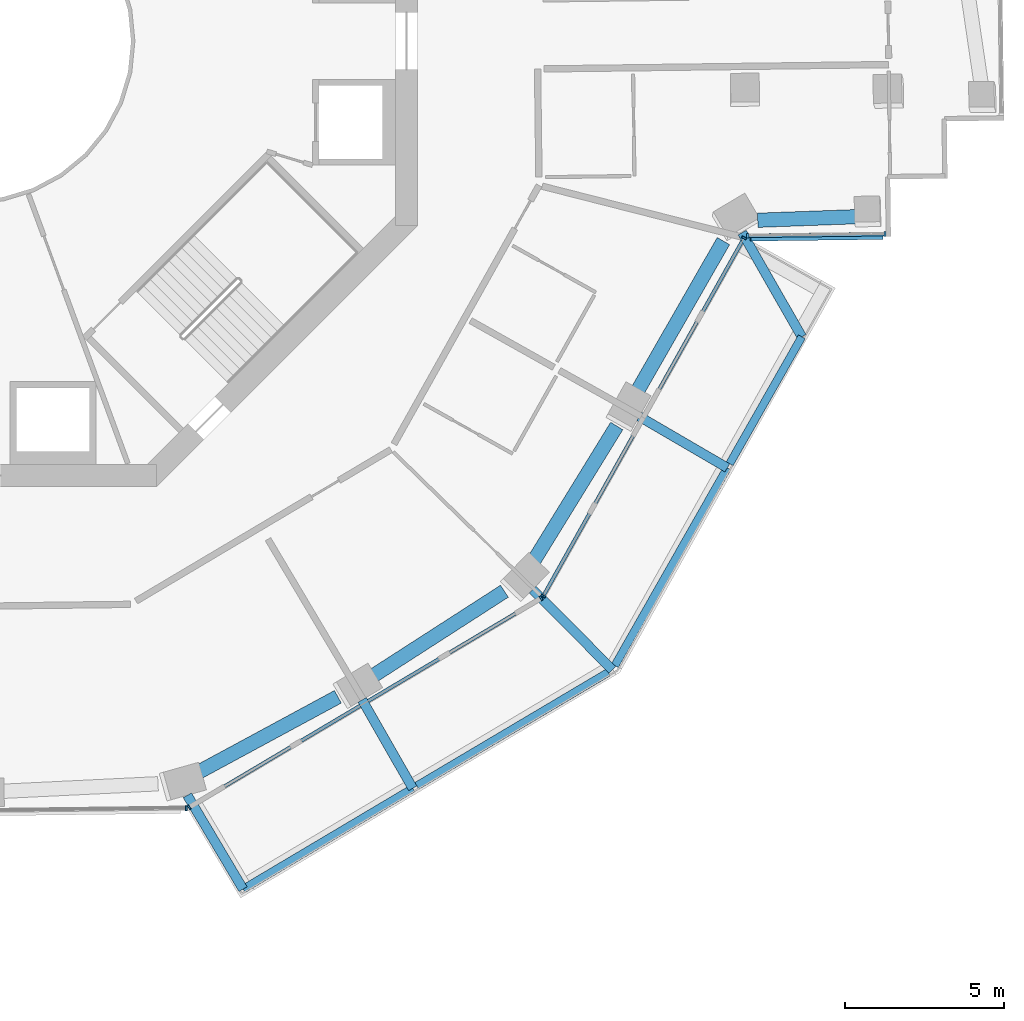
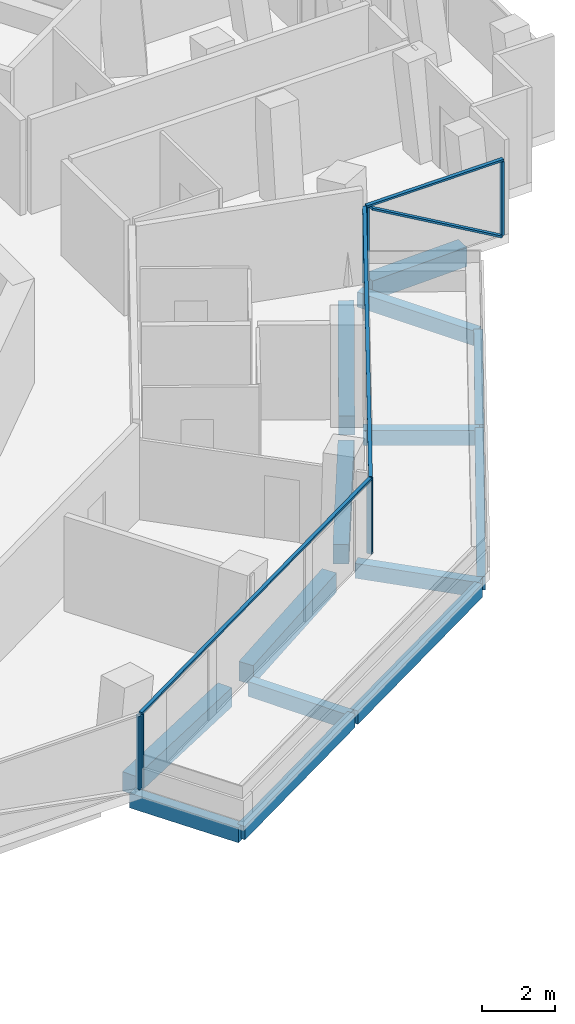
# One storey, part 5 of 21: 14 beams, 11 members, 4 elements without a shape of their own.
"""IFC4 building model written with IfcOpenShell, lengths in metres."""

from ifc_helpers import new_model, si_unit, direction, frame, origin, origin_2d, place, context, subcontext, project, spatial, rectangle, extrude, material, layer, layer_set, material_profile, profile_set, type_object, element, aggregate, save


model = new_model("IFC4")

# Units and contexts
model_context = context("Model", 3, precision=1e-05, world=origin(), true_north=direction((0.0, 1.0)))
body_context = subcontext(model_context, "Body", "Model", "MODEL_VIEW")
ifc_project = project(units=[si_unit("LENGTHUNIT", "METRE"), si_unit("AREAUNIT", "SQUARE_METRE"), si_unit("VOLUMEUNIT", "CUBIC_METRE"), si_unit("PLANEANGLEUNIT", "RADIAN"), si_unit("MASSUNIT", "GRAM", prefix="KILO")], contexts=[model_context])

# Site, building, storey
site_placement = place(None, origin())
site = spatial("IfcSite", under=ifc_project, at=site_placement, CompositionType="ELEMENT")
building_placement = place(site_placement, origin())
building = spatial("IfcBuilding", under=site, at=building_placement, Name="Verdalira Terraces Hotel", CompositionType="ELEMENT")
storey_placement = place(building_placement, frame((0.0, 0.0, 158.5)))
storey = spatial("IfcBuildingStorey", under=building, at=storey_placement, Name="L38", CompositionType="ELEMENT", Elevation=158.5)

# Beams
ifc_material_1 = material(Name="Concrete C40", Category="concrete")
ifc_material_profile_1 = material_profile(ifc_material_1, rectangle(XDim=0.300049, YDim=0.5, at=origin_2d()), Name="RC 300X500")
ifc_profile_set_1 = profile_set([ifc_material_profile_1], Name="Concrete C40")
beam_type_1 = type_object("IfcBeamType", Name="Balcony cantilever beam RC 300X500 C40", PredefinedType="BEAM", material=ifc_profile_set_1)
beam_1_placement = place(storey_placement, frame((6.766846, -23.69751, -0.560059), z_axis=(0.510847941, -0.859671089, 0.0), x_axis=(0.859671089, 0.510847941, 0.0)))
element("IfcBeam", 1, at=beam_1_placement, inside=storey, type_object=beam_type_1, Name="Balcony cantilever beam R26-1", PredefinedType="BEAM", context=body_context, shape_type="SweptSolid", body=[
    extrude(rectangle(XDim=0.300049, YDim=0.5, at=origin_2d()), origin(), (0.0, 0.0, 1.0), 3.429443),
])
beam_2_placement = place(storey_placement, frame((12.26001, -20.699707, -0.560059), z_axis=(0.496311424, -0.868144556, 0.0), x_axis=(0.868144556, 0.496311424, 0.0)))
element("IfcBeam", 2, at=beam_2_placement, inside=storey, type_object=beam_type_1, Name="Balcony cantilever beam R26-2", PredefinedType="BEAM", context=body_context, shape_type="SweptSolid", body=[
    extrude(rectangle(XDim=0.300049, YDim=0.5, at=origin_2d()), origin(), (0.0, 0.0, 1.0), 3.200928),
])
beam_3_placement = place(storey_placement, frame((17.617676, -17.229736, -0.560059), z_axis=(0.704116359, -0.71008461, 0.0), x_axis=(0.71008461, 0.704116359, 0.0)))
element("IfcBeam", 3, at=beam_3_placement, inside=storey, type_object=beam_type_1, Name="Balcony cantilever beam R26-3", PredefinedType="BEAM", context=body_context, shape_type="SweptSolid", body=[
    extrude(rectangle(XDim=0.300049, YDim=0.5, at=origin_2d()), origin(), (0.0, 0.0, 1.0), 3.558838),
])
beam_4_placement = place(storey_placement, frame((20.967285, -11.796631, -0.560059), z_axis=(0.863925479, -0.503619664, 0.0), x_axis=(0.503619664, 0.863925479, 0.0)))
element("IfcBeam", 4, at=beam_4_placement, inside=storey, type_object=beam_type_1, Name="Balcony cantilever beam R26-4", PredefinedType="BEAM", context=body_context, shape_type="SweptSolid", body=[
    extrude(rectangle(XDim=0.300049, YDim=0.5, at=origin_2d()), origin(), (0.0, 0.0, 1.0), 3.200928),
])
beam_5_placement = place(storey_placement, frame((24.200684, -6.017334, -0.560059), z_axis=(0.496375882, -0.868107703, 0.0), x_axis=(0.868107703, 0.496375882, 0.0)))
element("IfcBeam", 5, at=beam_5_placement, inside=storey, type_object=beam_type_1, Name="Balcony cantilever beam R26-5", PredefinedType="BEAM", context=body_context, shape_type="SweptSolid", body=[
    extrude(rectangle(XDim=0.300049, YDim=0.5, at=origin_2d()), origin(), (0.0, 0.0, 1.0), 3.772461),
])
ifc_material_2 = material(Name="Concrete C40", Category="concrete")
ifc_material_profile_2 = material_profile(ifc_material_2, rectangle(XDim=0.25, YDim=0.449951, at=origin_2d()), Name="RC 250X450")
ifc_profile_set_2 = profile_set([ifc_material_profile_2], Name="Concrete C40")
beam_type_2 = type_object("IfcBeamType", Name="Balcony edge beam RC 250X450 C40", PredefinedType="BEAM", material=ifc_profile_set_2)
beam_6_placement = place(storey_placement, frame((8.518799, -26.645752, -0.534912), z_axis=(0.859667234, 0.510854428, 0.0), x_axis=(-0.510854428, 0.859667234, 0.0)))
element("IfcBeam", 6, at=beam_6_placement, inside=storey, type_object=beam_type_2, Name="Balcony edge beam R26-1", PredefinedType="BEAM", context=body_context, shape_type="SweptSolid", body=[
    extrude(rectangle(XDim=0.25, YDim=0.449951, at=origin_2d()), origin(), (0.0, 0.0, 1.0), 6.199951),
])
beam_7_placement = place(storey_placement, frame((13.977783, -23.401855, -0.534912), z_axis=(0.860098027, 0.510128792, 0.0), x_axis=(-0.510128792, 0.860098027, 0.0)))
element("IfcBeam", 7, at=beam_7_placement, inside=storey, type_object=beam_type_2, Name="Balcony edge beam R26-2", PredefinedType="BEAM", context=body_context, shape_type="SweptSolid", body=[
    extrude(rectangle(XDim=0.25, YDim=0.449951, at=origin_2d()), origin(), (0.0, 0.0, 1.0), 6.990723),
])
beam_8_placement = place(storey_placement, frame((20.200439, -19.621338, -0.534912), z_axis=(0.494254137, 0.869317461, 0.0), x_axis=(-0.869317461, 0.494254137, 0.0)))
element("IfcBeam", 8, at=beam_8_placement, inside=storey, type_object=beam_type_2, Name="Balcony edge beam R26-3", PredefinedType="BEAM", context=body_context, shape_type="SweptSolid", body=[
    extrude(rectangle(XDim=0.25, YDim=0.449951, at=origin_2d()), origin(), (0.0, 0.0, 1.0), 7.146484),
])
beam_9_placement = place(storey_placement, frame((23.806641, -13.27832, -0.534912), z_axis=(0.494303013, 0.86928967, 0.0), x_axis=(-0.86928967, 0.494303013, 0.0)))
element("IfcBeam", 9, at=beam_9_placement, inside=storey, type_object=beam_type_2, Name="Balcony edge beam R26-4", PredefinedType="BEAM", context=body_context, shape_type="SweptSolid", body=[
    extrude(rectangle(XDim=0.25, YDim=0.449951, at=origin_2d()), origin(), (0.0, 0.0, 1.0), 4.585449),
])

# Curtain wall, member
ifc_material_3 = material(Name="Clear glass", Category="glass")
ifc_layer_1 = layer(ifc_material_3, 0.14990234375)
ifc_layer_set_1 = layer_set([ifc_layer_1], Name="CW1 curtain wall")
curtain_wall_type_1 = type_object("IfcCurtainWallType", Name="CW1 curtain wall", PredefinedType="NOTDEFINED", material=ifc_layer_set_1)
curtain_wall_1_placement = place(storey_placement, origin())
curtain_wall_1 = element("IfcCurtainWall", 10, at=curtain_wall_1_placement, inside=storey, type_object=curtain_wall_type_1, Name="CW1 curtain wall L38 edge 25", PredefinedType="NOTDEFINED")
ifc_material_4 = material(Name="Terracotta frame", Category="masonry")
ifc_material_profile_3 = material_profile(ifc_material_4, rectangle(XDim=0.060059, YDim=0.149902, at=origin_2d()), Name="MU 60x150")
ifc_profile_set_3 = profile_set([ifc_material_profile_3], Name="Terracotta frame")
member_type_1 = type_object("IfcMemberType", Name="CW1 mullion 60x150", PredefinedType="MULLION", material=ifc_profile_set_3)
member_1_placement = place(storey_placement, frame((6.733154, -24.100586, 0.0), z_axis=(0.0, 0.0, 1.0), x_axis=(0.999921044, 0.01256604, 0.0)))
member_1 = element("IfcMember", 11, at=member_1_placement, type_object=member_type_1, Name="CW1 mullion", PredefinedType="MULLION", context=body_context, shape_type="SweptSolid", body=[
    extrude(rectangle(XDim=0.060059, YDim=0.149902, at=origin_2d()), origin(), (0.0, 0.0, 1.0), 2.475098),
])
aggregate(curtain_wall_1, [member_1])

# Curtain wall, members
curtain_wall_2_placement = place(storey_placement, origin())
curtain_wall_2 = element("IfcCurtainWall", 12, at=curtain_wall_2_placement, inside=storey, type_object=curtain_wall_type_1, Name="CW1 curtain wall L38 edge 26", PredefinedType="NOTDEFINED")
member_2_placement = place(storey_placement, frame((6.826416, -24.074463, 0.0), z_axis=(0.0, 0.0, 1.0), x_axis=(0.859674006, 0.510843032, 0.0)))
member_2 = element("IfcMember", 13, at=member_2_placement, type_object=member_type_1, Name="CW1 mullion", PredefinedType="MULLION", context=body_context, shape_type="SweptSolid", body=[
    extrude(rectangle(XDim=0.060059, YDim=0.149902, at=origin_2d()), origin(), (0.0, 0.0, 1.0), 2.475098),
])
member_3_placement = place(storey_placement, frame((17.881348, -17.505127, 0.0), z_axis=(0.0, 0.0, 1.0), x_axis=(0.859674006, 0.510843032, 0.0)))
member_3 = element("IfcMember", 14, at=member_3_placement, type_object=member_type_1, Name="CW1 mullion", PredefinedType="MULLION", context=body_context, shape_type="SweptSolid", body=[
    extrude(rectangle(XDim=0.060059, YDim=0.149902, at=origin_2d()), origin(), (0.0, 0.0, 1.0), 2.475098),
])

curtain_wall_3_placement = place(storey_placement, origin())
curtain_wall_3 = element("IfcCurtainWall", 15, at=curtain_wall_3_placement, inside=storey, type_object=curtain_wall_type_1, Name="CW1 curtain wall L38 edge 27", PredefinedType="NOTDEFINED")
member_4_placement = place(storey_placement, frame((17.948975, -17.435791, 0.0), z_axis=(0.0, 0.0, 1.0), x_axis=(0.489078012, 0.872240046, 0.0)))
member_4 = element("IfcMember", 16, at=member_4_placement, type_object=member_type_1, Name="CW1 mullion", PredefinedType="MULLION", context=body_context, shape_type="SweptSolid", body=[
    extrude(rectangle(XDim=0.060059, YDim=0.149902, at=origin_2d()), origin(), (0.0, 0.0, 1.0), 2.475098),
])
member_5_placement = place(storey_placement, frame((24.258057, -6.184082, 0.0), z_axis=(0.0, 0.0, 1.0), x_axis=(0.489078012, 0.872240046, 0.0)))
member_5 = element("IfcMember", 17, at=member_5_placement, type_object=member_type_1, Name="CW1 mullion", PredefinedType="MULLION", context=body_context, shape_type="SweptSolid", body=[
    extrude(rectangle(XDim=0.060059, YDim=0.149902, at=origin_2d()), origin(), (0.0, 0.0, 1.0), 2.475098),
])

# Member
ifc_material_5 = material(Name="Terracotta frame", Category="masonry")
ifc_material_profile_4 = material_profile(ifc_material_5, rectangle(XDim=0.110107, YDim=0.064941, at=origin_2d()), Name="TR 65x110")
ifc_profile_set_4 = profile_set([ifc_material_profile_4], Name="Terracotta frame")
member_type_2 = type_object("IfcMemberType", Name="CW1 transom 65x110", PredefinedType="USERDEFINED", material=ifc_profile_set_4)
member_6_placement = place(storey_placement, frame((6.800537, -24.089844, 2.507568), z_axis=(0.859667779, 0.51085351, 0.0), x_axis=(-0.51085351, 0.859667779, 0.0)))
member_6 = element("IfcMember", 18, at=member_6_placement, type_object=member_type_2, Name="CW1 transom", ObjectType="TRANSOM", PredefinedType="USERDEFINED", context=body_context, shape_type="SweptSolid", body=[
    extrude(rectangle(XDim=0.110107, YDim=0.064941, at=origin_2d()), origin(), (0.0, 0.0, 1.0), 12.919678),
])

aggregate(curtain_wall_2, [member_2, member_3, member_6])

member_7_placement = place(storey_placement, frame((17.934326, -17.462158, 2.507568), z_axis=(0.489074824, 0.872241834, 0.0), x_axis=(-0.872241834, 0.489074824, 0.0)))
member_7 = element("IfcMember", 19, at=member_7_placement, type_object=member_type_2, Name="CW1 transom", ObjectType="TRANSOM", PredefinedType="USERDEFINED", context=body_context, shape_type="SweptSolid", body=[
    extrude(rectangle(XDim=0.110107, YDim=0.064941, at=origin_2d()), origin(), (0.0, 0.0, 1.0), 12.959961),
])

aggregate(curtain_wall_3, [member_4, member_5, member_7])

# Curtain wall, members
ifc_material_6 = material(Name="Clear glass", Category="glass")
ifc_layer_2 = layer(ifc_material_6, 0.14990234375)
ifc_layer_set_2 = layer_set([ifc_layer_2], Name="CW2 curtain wall")
curtain_wall_type_2 = type_object("IfcCurtainWallType", Name="CW2 curtain wall", PredefinedType="NOTDEFINED", material=ifc_layer_set_2)
curtain_wall_4_placement = place(storey_placement, origin())
curtain_wall_4 = element("IfcCurtainWall", 20, at=curtain_wall_4_placement, inside=storey, type_object=curtain_wall_type_2, Name="CW2 curtain wall L38 edge 28", PredefinedType="NOTDEFINED")
ifc_material_7 = material(Name="Terracotta frame", Category="masonry")
ifc_material_profile_5 = material_profile(ifc_material_7, rectangle(XDim=0.070068, YDim=0.149902, at=origin_2d()), Name="MU 70x150")
ifc_profile_set_5 = profile_set([ifc_material_profile_5], Name="Terracotta frame")
member_type_3 = type_object("IfcMemberType", Name="CW2 mullion 70x150", PredefinedType="MULLION", material=ifc_profile_set_5)
member_8_placement = place(storey_placement, frame((24.37207, -6.119141, 0.0), z_axis=(0.0, 0.0, 1.0), x_axis=(0.999921044, 0.01256604, 0.0)))
member_8 = element("IfcMember", 21, at=member_8_placement, type_object=member_type_3, Name="CW2 mullion", PredefinedType="MULLION", context=body_context, shape_type="SweptSolid", body=[
    extrude(rectangle(XDim=0.070068, YDim=0.149902, at=origin_2d()), origin(), (0.0, 0.0, 1.0), 2.475098),
])
member_9_placement = place(storey_placement, frame((28.685547, -6.064941, 0.0), z_axis=(0.0, 0.0, 1.0), x_axis=(0.999921044, 0.01256604, 0.0)))
member_9 = element("IfcMember", 22, at=member_9_placement, type_object=member_type_3, Name="CW2 mullion", PredefinedType="MULLION", context=body_context, shape_type="SweptSolid", body=[
    extrude(rectangle(XDim=0.070068, YDim=0.149902, at=origin_2d()), origin(), (0.0, 0.0, 1.0), 2.475098),
])
ifc_material_8 = material(Name="Terracotta frame", Category="masonry")
ifc_material_profile_6 = material_profile(ifc_material_8, rectangle(XDim=0.11499, YDim=0.064941, at=origin_2d()), Name="TR 65x115")
ifc_profile_set_6 = profile_set([ifc_material_profile_6], Name="Terracotta frame")
member_type_4 = type_object("IfcMemberType", Name="CW2 transom 65x115", PredefinedType="USERDEFINED", material=ifc_profile_set_6)
member_10_placement = place(storey_placement, frame((24.337158, -6.119629, 2.507568), z_axis=(0.999921483, 0.012531042, 0.0), x_axis=(-0.012531042, 0.999921483, 0.0)))
member_10 = element("IfcMember", 23, at=member_10_placement, type_object=member_type_4, Name="CW2 transom", ObjectType="TRANSOM", PredefinedType="USERDEFINED", context=body_context, shape_type="SweptSolid", body=[
    extrude(rectangle(XDim=0.11499, YDim=0.064941, at=origin_2d()), origin(), (0.0, 0.0, 1.0), 4.383545),
])
ifc_material_9 = material(Name="Terracotta frame", Category="masonry")
ifc_material_profile_7 = material_profile(ifc_material_9, rectangle(XDim=0.149902, YDim=0.060059, at=origin_2d()), Name="GB 60x150")
ifc_profile_set_7 = profile_set([ifc_material_profile_7], Name="Terracotta frame")
member_type_5 = type_object("IfcMemberType", Name="Diagonal glazing bar 60x150", PredefinedType="USERDEFINED", material=ifc_profile_set_7)
member_11_placement = place(storey_placement, frame((24.454346, -6.209229, 2.447998), z_axis=(0.863759177, 0.010871285, -0.503787553), x_axis=(-0.012585017, 0.999920806, 0.0)))
member_11 = element("IfcMember", 24, at=member_11_placement, type_object=member_type_5, Name="Diagonal glazing bar", ObjectType="GLAZING BAR", PredefinedType="USERDEFINED", context=body_context, shape_type="SweptSolid", body=[
    extrude(rectangle(XDim=0.149902, YDim=0.060059, at=origin_2d()), origin(), (0.0, 0.0, 1.0), 4.805908),
])
aggregate(curtain_wall_4, [member_8, member_9, member_10, member_11])

# Beams
ifc_material_10 = material(Name="Concrete C50", Category="concrete")
ifc_material_profile_8 = material_profile(ifc_material_10, rectangle(XDim=0.449951, YDim=0.649902, at=origin_2d()), Name="RC 450X650")
ifc_profile_set_8 = profile_set([ifc_material_profile_8], Name="Concrete C50")
beam_type_3 = type_object("IfcBeamType", Name="Spandrel beam RC 450X650 C50", PredefinedType="SPANDREL", material=ifc_profile_set_8)
beam_10_placement = place(storey_placement, frame((7.084473, -22.986816, -0.63501), z_axis=(0.879730727, 0.475472237, 0.0), x_axis=(-0.475472237, 0.879730727, 0.0)))
element("IfcBeam", 25, at=beam_10_placement, inside=storey, type_object=beam_type_3, Name="Spandrel beam B11", PredefinedType="SPANDREL", context=body_context, shape_type="SweptSolid", body=[
    extrude(rectangle(XDim=0.449951, YDim=0.649902, at=origin_2d()), origin(), (0.0, 0.0, 1.0), 5.015625),
])
beam_11_placement = place(storey_placement, frame((12.514648, -20.0, -0.63501), z_axis=(0.840742999, 0.5414344, 0.0), x_axis=(-0.5414344, 0.840742999, 0.0)))
element("IfcBeam", 26, at=beam_11_placement, inside=storey, type_object=beam_type_3, Name="Spandrel beam B12", PredefinedType="SPANDREL", context=body_context, shape_type="SweptSolid", body=[
    extrude(rectangle(XDim=0.449951, YDim=0.649902, at=origin_2d()), origin(), (0.0, 0.0, 1.0), 5.012451),
])
beam_12_placement = place(storey_placement, frame((17.628662, -16.36499, -0.63501), z_axis=(0.524140878, 0.851631575, 0.0), x_axis=(-0.851631575, 0.524140878, 0.0)))
element("IfcBeam", 27, at=beam_12_placement, inside=storey, type_object=beam_type_3, Name="Spandrel beam B13", PredefinedType="SPANDREL", context=body_context, shape_type="SweptSolid", body=[
    extrude(rectangle(XDim=0.449951, YDim=0.649902, at=origin_2d()), origin(), (0.0, 0.0, 1.0), 5.015625),
])
beam_13_placement = place(storey_placement, frame((20.852051, -11.093262, -0.63501), z_axis=(0.497475573, 0.867477985, 0.0), x_axis=(-0.867477985, 0.497475573, 0.0)))
element("IfcBeam", 28, at=beam_13_placement, inside=storey, type_object=beam_type_3, Name="Spandrel beam B14", PredefinedType="SPANDREL", context=body_context, shape_type="SweptSolid", body=[
    extrude(rectangle(XDim=0.449951, YDim=0.649902, at=origin_2d()), origin(), (0.0, 0.0, 1.0), 5.544678),
])
beam_14_placement = place(storey_placement, frame((24.688232, -5.629639, -0.63501), z_axis=(0.999341388, 0.036287599, 0.0), x_axis=(-0.036287599, 0.999341388, 0.0)))
element("IfcBeam", 29, at=beam_14_placement, inside=storey, type_object=beam_type_3, Name="Spandrel beam B15", PredefinedType="SPANDREL", context=body_context, shape_type="SweptSolid", body=[
    extrude(rectangle(XDim=0.449951, YDim=0.649902, at=origin_2d()), origin(), (0.0, 0.0, 1.0), 3.067871),
])

save(model, "model.ifc")
